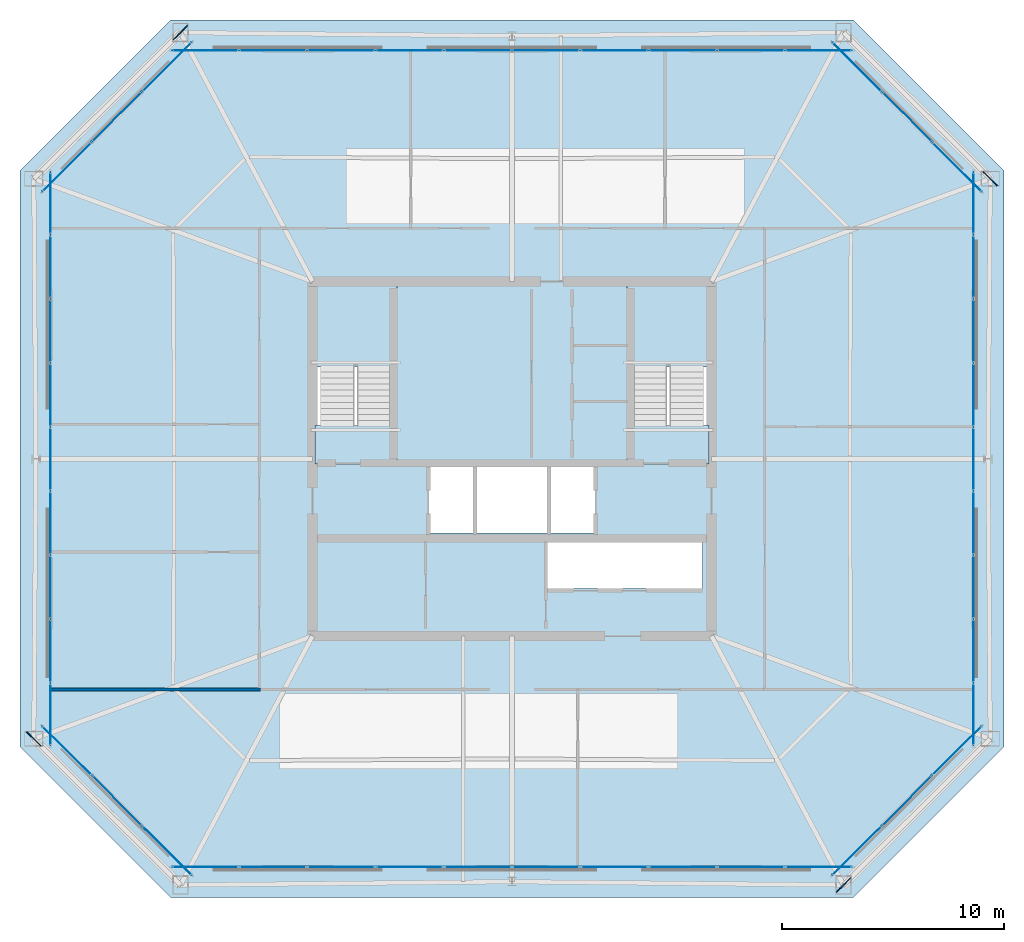
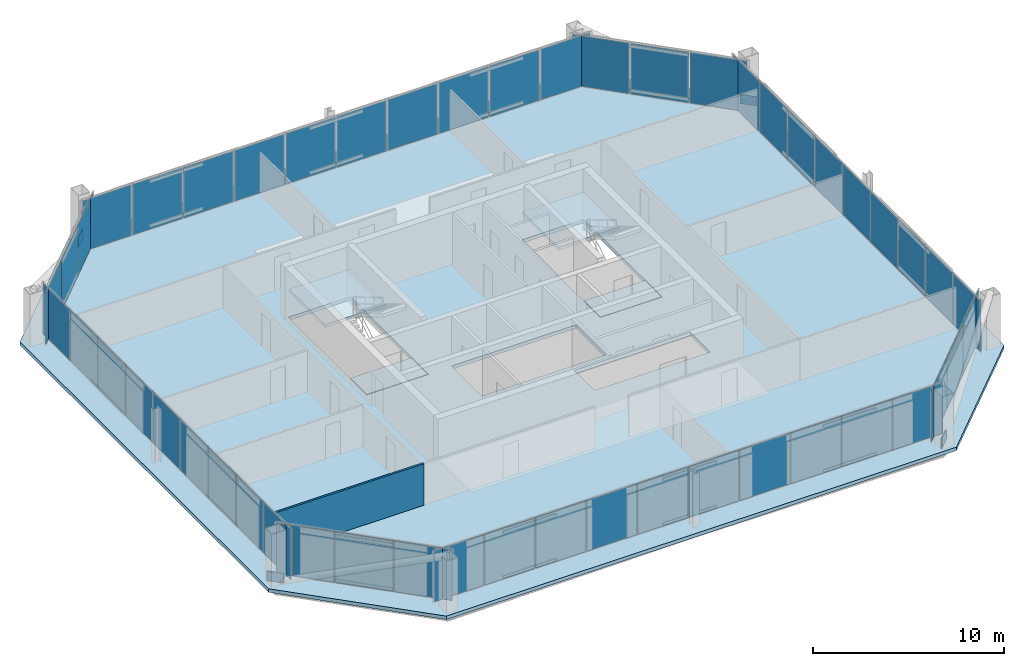
# One storey, part 34 of 39: 54 plates, 5 slabs, 1 wall, 10 elements without a shape of their own.
"""IFC4 building model written with IfcOpenShell, lengths in metres."""

from ifc_helpers import new_model, si_unit, direction, frame, frame_2d, origin, origin_2d, place, context, subcontext, project, spatial, polyline, rectangle, outline, extrude, material, layer, layer_set, type_object, element, aggregate, save


model = new_model("IFC4")

# Units and contexts
model_context = context("Model", 3, precision=1e-05, world=origin(), true_north=direction((0.0, 1.0)))
body_context = subcontext(model_context, "Body", "Model", "MODEL_VIEW")
ifc_project = project(units=[si_unit("LENGTHUNIT", "METRE"), si_unit("AREAUNIT", "SQUARE_METRE"), si_unit("VOLUMEUNIT", "CUBIC_METRE"), si_unit("PLANEANGLEUNIT", "RADIAN"), si_unit("MASSUNIT", "GRAM", prefix="KILO")], contexts=[model_context])

# Site, building, storey
site_placement = place(None, origin())
site = spatial("IfcSite", under=ifc_project, at=site_placement, CompositionType="ELEMENT")
building_placement = place(site_placement, origin())
building = spatial("IfcBuilding", under=site, at=building_placement, Name="Caelvoria Tower", CompositionType="ELEMENT")
storey_placement = place(building_placement, frame((0.0, 0.0, 198.60009765625)))
storey = spatial("IfcBuildingStorey", under=building, at=storey_placement, Name="L52", CompositionType="ELEMENT", Elevation=198.60009765625)

# Curtain wall, plates
ifc_material_1 = material(Name="Anodised Bronze Aluminium and Low-E Glass", Category="aluminium")
ifc_layer_1 = layer(ifc_material_1, 0.175048828125, Name="Anodised Bronze Aluminium and Low-E Glass")
ifc_layer_set_1 = layer_set([ifc_layer_1], Name="CW System 4 High-Zone Tapered Crystal Facade - Anodised Bronze Aluminium and Low-E Glass")
curtain_wall_type = type_object("IfcCurtainWallType", Name="CW System 4 High-Zone Tapered Crystal Facade", PredefinedType="NOTDEFINED", material=ifc_layer_set_1)
curtain_wall_1_placement = place(storey_placement, origin())
curtain_wall_1 = element("IfcCurtainWall", 1, at=curtain_wall_1_placement, inside=storey, type_object=curtain_wall_type, Name="CW-04 Curtain Wall L52-E0", PredefinedType="NOTDEFINED")
ifc_material_2 = material(Name="Tinted Low-E Insulated Glazing Unit", Category="glass")
ifc_layer_2 = layer(ifc_material_2, 0.028076171875, Name="Tinted Low-E Insulated Glazing Unit")
ifc_layer_set_2 = layer_set([ifc_layer_2], Name="Double-Glazed Solar-Control Vision Panel 28 - Tinted Low-E Insulated Glazing Unit")
plate_type_1 = type_object("IfcPlateType", Name="Double-Glazed Solar-Control Vision Panel 28", PredefinedType="CURTAIN_PANEL", material=ifc_layer_set_2)
plate_1_placement = place(storey_placement, frame((35.219970703125, 13.580078125, 0.06494140625), z_axis=(0.0, 0.0, 1.0), x_axis=(1.0, 0.0, 0.0)))
plate_1 = element("IfcPlate", 2, at=plate_1_placement, type_object=plate_type_1, Name="CW-04 panel 2.1", PredefinedType="CURTAIN_PANEL", context=body_context, shape_type="SweptSolid", body=[
    extrude(rectangle(XDim=3.014892578125, YDim=0.028076171875, at=origin_2d()), origin(), (0.0, 0.0, 1.0), 3.2451171875),
])
plate_2_placement = place(storey_placement, frame((38.300048828125, 13.580078125, 0.06494140625), z_axis=(0.0, 0.0, 1.0), x_axis=(1.0, 0.0, 0.0)))
plate_2 = element("IfcPlate", 3, at=plate_2_placement, type_object=plate_type_1, Name="CW-04 panel 3.1", PredefinedType="CURTAIN_PANEL", context=body_context, shape_type="SweptSolid", body=[
    extrude(rectangle(XDim=3.014892578125, YDim=0.028076171875, at=origin_2d()), origin(), (0.0, 0.0, 1.0), 3.2451171875),
])
plate_3_placement = place(storey_placement, frame((41.3798828125, 13.580078125, 0.06494140625), z_axis=(0.0, 0.0, 1.0), x_axis=(1.0, 0.0, 0.0)))
plate_3 = element("IfcPlate", 4, at=plate_3_placement, type_object=plate_type_1, Name="CW-04 panel 4.1", PredefinedType="CURTAIN_PANEL", context=body_context, shape_type="SweptSolid", body=[
    extrude(rectangle(XDim=3.014892578125, YDim=0.028076171875, at=origin_2d()), origin(), (0.0, 0.0, 1.0), 3.2451171875),
])
plate_4_placement = place(storey_placement, frame((44.4599609375, 13.580078125, 0.06494140625), z_axis=(0.0, 0.0, 1.0), x_axis=(1.0, 0.0, 0.0)))
plate_4 = element("IfcPlate", 5, at=plate_4_placement, type_object=plate_type_1, Name="CW-04 panel 5.1", PredefinedType="CURTAIN_PANEL", context=body_context, shape_type="SweptSolid", body=[
    extrude(rectangle(XDim=3.014892578125, YDim=0.028076171875, at=origin_2d()), origin(), (0.0, 0.0, 1.0), 3.2451171875),
])
plate_5_placement = place(storey_placement, frame((47.5400390625, 13.580078125, 0.06494140625), z_axis=(0.0, 0.0, 1.0), x_axis=(1.0, 0.0, 0.0)))
plate_5 = element("IfcPlate", 6, at=plate_5_placement, type_object=plate_type_1, Name="CW-04 panel 6.1", PredefinedType="CURTAIN_PANEL", context=body_context, shape_type="SweptSolid", body=[
    extrude(rectangle(XDim=3.014892578125, YDim=0.028076171875, at=origin_2d()), origin(), (0.0, 0.0, 1.0), 3.2451171875),
])
plate_6_placement = place(storey_placement, frame((50.6201171875, 13.580078125, 0.06494140625), z_axis=(0.0, 0.0, 1.0), x_axis=(1.0, 0.0, 0.0)))
plate_6 = element("IfcPlate", 7, at=plate_6_placement, type_object=plate_type_1, Name="CW-04 panel 7.1", PredefinedType="CURTAIN_PANEL", context=body_context, shape_type="SweptSolid", body=[
    extrude(rectangle(XDim=3.014892578125, YDim=0.028076171875, at=origin_2d()), origin(), (0.0, 0.0, 1.0), 3.2451171875),
])
plate_7_placement = place(storey_placement, frame((53.699951171875, 13.580078125, 0.06494140625), z_axis=(0.0, 0.0, 1.0), x_axis=(1.0, 0.0, 0.0)))
plate_7 = element("IfcPlate", 8, at=plate_7_placement, type_object=plate_type_1, Name="CW-04 panel 8.1", PredefinedType="CURTAIN_PANEL", context=body_context, shape_type="SweptSolid", body=[
    extrude(rectangle(XDim=3.014892578125, YDim=0.028076171875, at=origin_2d()), origin(), (0.0, 0.0, 1.0), 3.2451171875),
])
plate_8_placement = place(storey_placement, frame((56.780029296875, 13.580078125, 0.06494140625), z_axis=(0.0, 0.0, 1.0), x_axis=(1.0, 0.0, 0.0)))
plate_8 = element("IfcPlate", 9, at=plate_8_placement, type_object=plate_type_1, Name="CW-04 panel 9.1", PredefinedType="CURTAIN_PANEL", context=body_context, shape_type="SweptSolid", body=[
    extrude(rectangle(XDim=3.014892578125, YDim=0.028076171875, at=origin_2d()), origin(), (0.0, 0.0, 1.0), 3.2451171875),
])

curtain_wall_2_placement = place(storey_placement, origin())
curtain_wall_2 = element("IfcCurtainWall", 10, at=curtain_wall_2_placement, inside=storey, type_object=curtain_wall_type, Name="CW-04 Curtain Wall L52-E2", PredefinedType="NOTDEFINED")
plate_9_placement = place(storey_placement, frame((66.820068359375, 23.333251953125, 0.06494140625), z_axis=(0.0, 0.0, 1.0), x_axis=(0.0, 1.0, 0.0)))
plate_9 = element("IfcPlate", 11, at=plate_9_placement, type_object=plate_type_1, Name="CW-04 panel 2.1", PredefinedType="CURTAIN_PANEL", context=body_context, shape_type="SweptSolid", body=[
    extrude(rectangle(XDim=2.823974609375, YDim=0.028076171875, at=origin_2d()), origin(), (0.0, 0.0, 1.0), 3.2451171875),
])
plate_10_placement = place(storey_placement, frame((66.820068359375, 26.22216796875, 0.06494140625), z_axis=(0.0, 0.0, 1.0), x_axis=(0.0, 1.0, 0.0)))
plate_10 = element("IfcPlate", 12, at=plate_10_placement, type_object=plate_type_1, Name="CW-04 panel 3.1", PredefinedType="CURTAIN_PANEL", context=body_context, shape_type="SweptSolid", body=[
    extrude(rectangle(XDim=2.823974609375, YDim=0.028076171875, at=origin_2d()), origin(), (0.0, 0.0, 1.0), 3.2451171875),
])
plate_11_placement = place(storey_placement, frame((66.820068359375, 29.111083984375, 0.06494140625), z_axis=(0.0, 0.0, 1.0), x_axis=(0.0, 1.0, 0.0)))
plate_11 = element("IfcPlate", 13, at=plate_11_placement, type_object=plate_type_1, Name="CW-04 panel 4.1", PredefinedType="CURTAIN_PANEL", context=body_context, shape_type="SweptSolid", body=[
    extrude(rectangle(XDim=2.823974609375, YDim=0.028076171875, at=origin_2d()), origin(), (0.0, 0.0, 1.0), 3.2451171875),
])
plate_12_placement = place(storey_placement, frame((66.820068359375, 34.888916015625, 0.06494140625), z_axis=(0.0, 0.0, 1.0), x_axis=(0.0, 1.0, 0.0)))
plate_12 = element("IfcPlate", 14, at=plate_12_placement, type_object=plate_type_1, Name="CW-04 panel 6.1", PredefinedType="CURTAIN_PANEL", context=body_context, shape_type="SweptSolid", body=[
    extrude(rectangle(XDim=2.823974609375, YDim=0.028076171875, at=origin_2d()), origin(), (0.0, 0.0, 1.0), 3.2451171875),
])
plate_13_placement = place(storey_placement, frame((66.820068359375, 37.77783203125, 0.06494140625), z_axis=(0.0, 0.0, 1.0), x_axis=(0.0, 1.0, 0.0)))
plate_13 = element("IfcPlate", 15, at=plate_13_placement, type_object=plate_type_1, Name="CW-04 panel 7.1", PredefinedType="CURTAIN_PANEL", context=body_context, shape_type="SweptSolid", body=[
    extrude(rectangle(XDim=2.823974609375, YDim=0.028076171875, at=origin_2d()), origin(), (0.0, 0.0, 1.0), 3.2451171875),
])
plate_14_placement = place(storey_placement, frame((66.820068359375, 40.666748046875, 0.06494140625), z_axis=(0.0, 0.0, 1.0), x_axis=(0.0, 1.0, 0.0)))
plate_14 = element("IfcPlate", 16, at=plate_14_placement, type_object=plate_type_1, Name="CW-04 panel 8.1", PredefinedType="CURTAIN_PANEL", context=body_context, shape_type="SweptSolid", body=[
    extrude(rectangle(XDim=2.823974609375, YDim=0.028076171875, at=origin_2d()), origin(), (0.0, 0.0, 1.0), 3.2451171875),
])

curtain_wall_3_placement = place(storey_placement, origin())
curtain_wall_3 = element("IfcCurtainWall", 17, at=curtain_wall_3_placement, inside=storey, type_object=curtain_wall_type, Name="CW-04 Curtain Wall L52-E4", PredefinedType="NOTDEFINED")
plate_15_placement = place(storey_placement, frame((56.780029296875, 50.419921875, 0.06494140625), z_axis=(0.0, 0.0, 1.0), x_axis=(-1.0, 0.0, 0.0)))
plate_15 = element("IfcPlate", 18, at=plate_15_placement, type_object=plate_type_1, Name="CW-04 panel 2.1", PredefinedType="CURTAIN_PANEL", context=body_context, shape_type="SweptSolid", body=[
    extrude(rectangle(XDim=3.014892578125, YDim=0.028076171875, at=origin_2d()), origin(), (0.0, 0.0, 1.0), 3.2451171875),
])
plate_16_placement = place(storey_placement, frame((53.699951171875, 50.419921875, 0.06494140625), z_axis=(0.0, 0.0, 1.0), x_axis=(-1.0, 0.0, 0.0)))
plate_16 = element("IfcPlate", 19, at=plate_16_placement, type_object=plate_type_1, Name="CW-04 panel 3.1", PredefinedType="CURTAIN_PANEL", context=body_context, shape_type="SweptSolid", body=[
    extrude(rectangle(XDim=3.014892578125, YDim=0.028076171875, at=origin_2d()), origin(), (0.0, 0.0, 1.0), 3.2451171875),
])
plate_17_placement = place(storey_placement, frame((50.6201171875, 50.419921875, 0.06494140625), z_axis=(0.0, 0.0, 1.0), x_axis=(-1.0, 0.0, 0.0)))
plate_17 = element("IfcPlate", 20, at=plate_17_placement, type_object=plate_type_1, Name="CW-04 panel 4.1", PredefinedType="CURTAIN_PANEL", context=body_context, shape_type="SweptSolid", body=[
    extrude(rectangle(XDim=3.014892578125, YDim=0.028076171875, at=origin_2d()), origin(), (0.0, 0.0, 1.0), 3.2451171875),
])
plate_18_placement = place(storey_placement, frame((47.5400390625, 50.419921875, 0.06494140625), z_axis=(0.0, 0.0, 1.0), x_axis=(-1.0, 0.0, 0.0)))
plate_18 = element("IfcPlate", 21, at=plate_18_placement, type_object=plate_type_1, Name="CW-04 panel 5.1", PredefinedType="CURTAIN_PANEL", context=body_context, shape_type="SweptSolid", body=[
    extrude(rectangle(XDim=3.014892578125, YDim=0.028076171875, at=origin_2d()), origin(), (0.0, 0.0, 1.0), 3.2451171875),
])
plate_19_placement = place(storey_placement, frame((44.4599609375, 50.419921875, 0.06494140625), z_axis=(0.0, 0.0, 1.0), x_axis=(-1.0, 0.0, 0.0)))
plate_19 = element("IfcPlate", 22, at=plate_19_placement, type_object=plate_type_1, Name="CW-04 panel 6.1", PredefinedType="CURTAIN_PANEL", context=body_context, shape_type="SweptSolid", body=[
    extrude(rectangle(XDim=3.014892578125, YDim=0.028076171875, at=origin_2d()), origin(), (0.0, 0.0, 1.0), 3.2451171875),
])
plate_20_placement = place(storey_placement, frame((41.3798828125, 50.419921875, 0.06494140625), z_axis=(0.0, 0.0, 1.0), x_axis=(-1.0, 0.0, 0.0)))
plate_20 = element("IfcPlate", 23, at=plate_20_placement, type_object=plate_type_1, Name="CW-04 panel 7.1", PredefinedType="CURTAIN_PANEL", context=body_context, shape_type="SweptSolid", body=[
    extrude(rectangle(XDim=3.014892578125, YDim=0.028076171875, at=origin_2d()), origin(), (0.0, 0.0, 1.0), 3.2451171875),
])
plate_21_placement = place(storey_placement, frame((38.300048828125, 50.419921875, 0.06494140625), z_axis=(0.0, 0.0, 1.0), x_axis=(-1.0, 0.0, 0.0)))
plate_21 = element("IfcPlate", 24, at=plate_21_placement, type_object=plate_type_1, Name="CW-04 panel 8.1", PredefinedType="CURTAIN_PANEL", context=body_context, shape_type="SweptSolid", body=[
    extrude(rectangle(XDim=3.014892578125, YDim=0.028076171875, at=origin_2d()), origin(), (0.0, 0.0, 1.0), 3.2451171875),
])
plate_22_placement = place(storey_placement, frame((35.219970703125, 50.419921875, 0.06494140625), z_axis=(0.0, 0.0, 1.0), x_axis=(-1.0, 0.0, 0.0)))
plate_22 = element("IfcPlate", 25, at=plate_22_placement, type_object=plate_type_1, Name="CW-04 panel 9.1", PredefinedType="CURTAIN_PANEL", context=body_context, shape_type="SweptSolid", body=[
    extrude(rectangle(XDim=3.014892578125, YDim=0.028076171875, at=origin_2d()), origin(), (0.0, 0.0, 1.0), 3.2451171875),
])

curtain_wall_4_placement = place(storey_placement, origin())
curtain_wall_4 = element("IfcCurtainWall", 26, at=curtain_wall_4_placement, inside=storey, type_object=curtain_wall_type, Name="CW-04 Curtain Wall L52-E6", PredefinedType="NOTDEFINED")
plate_23_placement = place(storey_placement, frame((25.179931640625, 40.666748046875, 0.06494140625), z_axis=(0.0, 0.0, 1.0), x_axis=(0.0, -1.0, 0.0)))
plate_23 = element("IfcPlate", 27, at=plate_23_placement, type_object=plate_type_1, Name="CW-04 panel 2.1", PredefinedType="CURTAIN_PANEL", context=body_context, shape_type="SweptSolid", body=[
    extrude(rectangle(XDim=2.823974609375, YDim=0.028076171875, at=origin_2d()), origin(), (0.0, 0.0, 1.0), 3.2451171875),
])
plate_24_placement = place(storey_placement, frame((25.179931640625, 37.77783203125, 0.06494140625), z_axis=(0.0, 0.0, 1.0), x_axis=(0.0, -1.0, 0.0)))
plate_24 = element("IfcPlate", 28, at=plate_24_placement, type_object=plate_type_1, Name="CW-04 panel 3.1", PredefinedType="CURTAIN_PANEL", context=body_context, shape_type="SweptSolid", body=[
    extrude(rectangle(XDim=2.823974609375, YDim=0.028076171875, at=origin_2d()), origin(), (0.0, 0.0, 1.0), 3.2451171875),
])
plate_25_placement = place(storey_placement, frame((25.179931640625, 34.888916015625, 0.06494140625), z_axis=(0.0, 0.0, 1.0), x_axis=(0.0, -1.0, 0.0)))
plate_25 = element("IfcPlate", 29, at=plate_25_placement, type_object=plate_type_1, Name="CW-04 panel 4.1", PredefinedType="CURTAIN_PANEL", context=body_context, shape_type="SweptSolid", body=[
    extrude(rectangle(XDim=2.823974609375, YDim=0.028076171875, at=origin_2d()), origin(), (0.0, 0.0, 1.0), 3.2451171875),
])
plate_26_placement = place(storey_placement, frame((25.179931640625, 29.111083984375, 0.06494140625), z_axis=(0.0, 0.0, 1.0), x_axis=(0.0, -1.0, 0.0)))
plate_26 = element("IfcPlate", 30, at=plate_26_placement, type_object=plate_type_1, Name="CW-04 panel 6.1", PredefinedType="CURTAIN_PANEL", context=body_context, shape_type="SweptSolid", body=[
    extrude(rectangle(XDim=2.823974609375, YDim=0.028076171875, at=origin_2d()), origin(), (0.0, 0.0, 1.0), 3.2451171875),
])
plate_27_placement = place(storey_placement, frame((25.179931640625, 26.22216796875, 0.06494140625), z_axis=(0.0, 0.0, 1.0), x_axis=(0.0, -1.0, 0.0)))
plate_27 = element("IfcPlate", 31, at=plate_27_placement, type_object=plate_type_1, Name="CW-04 panel 7.1", PredefinedType="CURTAIN_PANEL", context=body_context, shape_type="SweptSolid", body=[
    extrude(rectangle(XDim=2.823974609375, YDim=0.028076171875, at=origin_2d()), origin(), (0.0, 0.0, 1.0), 3.2451171875),
])
plate_28_placement = place(storey_placement, frame((25.179931640625, 23.333251953125, 0.06494140625), z_axis=(0.0, 0.0, 1.0), x_axis=(0.0, -1.0, 0.0)))
plate_28 = element("IfcPlate", 32, at=plate_28_placement, type_object=plate_type_1, Name="CW-04 panel 8.1", PredefinedType="CURTAIN_PANEL", context=body_context, shape_type="SweptSolid", body=[
    extrude(rectangle(XDim=2.823974609375, YDim=0.028076171875, at=origin_2d()), origin(), (0.0, 0.0, 1.0), 3.2451171875),
])

# Plate
ifc_material_3 = material(Name="Anodised Bronze Insulated Aluminium Panel", Category="aluminium")
ifc_layer_3 = layer(ifc_material_3, 0.031982421875, Name="Anodised Bronze Insulated Aluminium Panel")
ifc_layer_set_3 = layer_set([ifc_layer_3], Name="Insulated Bronze Spandrel Curtain Panel 32 - Anodised Bronze Insulated Aluminium Panel")
plate_type_2 = type_object("IfcPlateType", Name="Insulated Bronze Spandrel Curtain Panel 32", PredefinedType="CURTAIN_PANEL", material=ifc_layer_set_3)
plate_29_placement = place(storey_placement, frame((32.15625, 13.580078125, 0.06494140625), z_axis=(0.0, 0.0, 1.0), x_axis=(1.0, 0.0, 0.0)))
plate_29 = element("IfcPlate", 33, at=plate_29_placement, type_object=plate_type_2, Name="CW-04 panel 1.1", PredefinedType="CURTAIN_PANEL", context=body_context, shape_type="SweptSolid", body=[
    extrude(rectangle(XDim=2.982421875, YDim=0.031982421875, at=origin_2d()), origin(), (0.0, 0.0, 1.0), 3.2451171875),
])

plate_30_placement = place(storey_placement, frame((59.84375, 13.580078125, 0.06494140625), z_axis=(0.0, 0.0, 1.0), x_axis=(1.0, 0.0, 0.0)))
plate_30 = element("IfcPlate", 34, at=plate_30_placement, type_object=plate_type_2, Name="CW-04 panel 10.1", PredefinedType="CURTAIN_PANEL", context=body_context, shape_type="SweptSolid", body=[
    extrude(rectangle(XDim=2.982421875, YDim=0.031982421875, at=origin_2d()), origin(), (0.0, 0.0, 1.0), 3.2451171875),
])

aggregate(curtain_wall_1, [plate_29, plate_1, plate_2, plate_3, plate_4, plate_5, plate_6, plate_7, plate_8, plate_30])

# Curtain wall, plates
curtain_wall_5_placement = place(storey_placement, origin())
curtain_wall_5 = element("IfcCurtainWall", 35, at=curtain_wall_5_placement, inside=storey, type_object=curtain_wall_type, Name="CW-04 Curtain Wall L52-E1", PredefinedType="NOTDEFINED")
plate_31_placement = place(storey_placement, frame((61.569091796875, 14.320556640625, 0.06494140625), z_axis=(0.0, 0.0, 1.0), x_axis=(0.707106781187, 0.707106781187, 0.0)))
plate_31 = element("IfcPlate", 36, at=plate_31_placement, type_object=plate_type_2, Name="CW-04 panel 1.1", PredefinedType="CURTAIN_PANEL", context=body_context, shape_type="SweptSolid", body=[
    extrude(rectangle(XDim=3.108154296875, YDim=0.031982421875, at=origin_2d()), origin(), (0.0, 0.0, 1.0), 3.2451171875),
])
plate_32_placement = place(storey_placement, frame((63.82421875, 16.57568359375, 0.06494140625), z_axis=(0.0, 0.0, 1.0), x_axis=(0.707106781187, 0.707106781187, 0.0)))
plate_32 = element("IfcPlate", 37, at=plate_32_placement, type_object=plate_type_2, Name="CW-04 panel 2.1", PredefinedType="CURTAIN_PANEL", context=body_context, shape_type="SweptSolid", body=[
    extrude(rectangle(XDim=3.140625, YDim=0.031982421875, at=origin_2d()), origin(), (0.0, 0.0, 1.0), 3.2451171875),
])
plate_33_placement = place(storey_placement, frame((66.079345703125, 18.8310546875, 0.06494140625), z_axis=(0.0, 0.0, 1.0), x_axis=(0.707106781187, 0.707106781187, 0.0)))
plate_33 = element("IfcPlate", 38, at=plate_33_placement, type_object=plate_type_2, Name="CW-04 panel 3.1", PredefinedType="CURTAIN_PANEL", context=body_context, shape_type="SweptSolid", body=[
    extrude(rectangle(XDim=3.108154296875, YDim=0.031982421875, at=origin_2d()), origin(), (0.0, 0.0, 1.0), 3.2451171875),
])
aggregate(curtain_wall_5, [plate_31, plate_32, plate_33])

# Plate
plate_34_placement = place(storey_placement, frame((66.820068359375, 20.460693359375, 0.06494140625), z_axis=(0.0, 0.0, 1.0), x_axis=(0.0, 1.0, 0.0)))
plate_34 = element("IfcPlate", 39, at=plate_34_placement, type_object=plate_type_2, Name="CW-04 panel 1.1", PredefinedType="CURTAIN_PANEL", context=body_context, shape_type="SweptSolid", body=[
    extrude(rectangle(XDim=2.79150390625, YDim=0.031982421875, at=origin_2d()), origin(), (0.0, 0.0, 1.0), 3.2451171875),
])

plate_35_placement = place(storey_placement, frame((66.820068359375, 32.0, 0.06494140625), z_axis=(0.0, 0.0, 1.0), x_axis=(0.0, 1.0, 0.0)))
plate_35 = element("IfcPlate", 40, at=plate_35_placement, type_object=plate_type_2, Name="CW-04 panel 5.1", PredefinedType="CURTAIN_PANEL", context=body_context, shape_type="SweptSolid", body=[
    extrude(rectangle(XDim=2.823974609375, YDim=0.031982421875, at=origin_2d()), origin(), (0.0, 0.0, 1.0), 3.2451171875),
])

plate_36_placement = place(storey_placement, frame((66.820068359375, 43.539306640625, 0.06494140625), z_axis=(0.0, 0.0, 1.0), x_axis=(0.0, 1.0, 0.0)))
plate_36 = element("IfcPlate", 41, at=plate_36_placement, type_object=plate_type_2, Name="CW-04 panel 9.1", PredefinedType="CURTAIN_PANEL", context=body_context, shape_type="SweptSolid", body=[
    extrude(rectangle(XDim=2.79150390625, YDim=0.031982421875, at=origin_2d()), origin(), (0.0, 0.0, 1.0), 3.2451171875),
])

aggregate(curtain_wall_2, [plate_34, plate_9, plate_10, plate_11, plate_35, plate_12, plate_13, plate_14, plate_36])

# Curtain wall, plates
curtain_wall_6_placement = place(storey_placement, origin())
curtain_wall_6 = element("IfcCurtainWall", 42, at=curtain_wall_6_placement, inside=storey, type_object=curtain_wall_type, Name="CW-04 Curtain Wall L52-E3", PredefinedType="NOTDEFINED")
plate_37_placement = place(storey_placement, frame((66.079345703125, 45.1689453125, 0.06494140625), z_axis=(0.0, 0.0, 1.0), x_axis=(-0.707106781187, 0.707106781187, 0.0)))
plate_37 = element("IfcPlate", 43, at=plate_37_placement, type_object=plate_type_2, Name="CW-04 panel 1.1", PredefinedType="CURTAIN_PANEL", context=body_context, shape_type="SweptSolid", body=[
    extrude(rectangle(XDim=3.108154296875, YDim=0.031982421875, at=origin_2d()), origin(), (0.0, 0.0, 1.0), 3.2451171875),
])
plate_38_placement = place(storey_placement, frame((63.82421875, 47.42431640625, 0.06494140625), z_axis=(0.0, 0.0, 1.0), x_axis=(-0.707106781187, 0.707106781187, 0.0)))
plate_38 = element("IfcPlate", 44, at=plate_38_placement, type_object=plate_type_2, Name="CW-04 panel 2.1", PredefinedType="CURTAIN_PANEL", context=body_context, shape_type="SweptSolid", body=[
    extrude(rectangle(XDim=3.140625, YDim=0.031982421875, at=origin_2d()), origin(), (0.0, 0.0, 1.0), 3.2451171875),
])
plate_39_placement = place(storey_placement, frame((61.569091796875, 49.679443359375, 0.06494140625), z_axis=(0.0, 0.0, 1.0), x_axis=(-0.707106781187, 0.707106781187, 0.0)))
plate_39 = element("IfcPlate", 45, at=plate_39_placement, type_object=plate_type_2, Name="CW-04 panel 3.1", PredefinedType="CURTAIN_PANEL", context=body_context, shape_type="SweptSolid", body=[
    extrude(rectangle(XDim=3.108154296875, YDim=0.031982421875, at=origin_2d()), origin(), (0.0, 0.0, 1.0), 3.2451171875),
])
aggregate(curtain_wall_6, [plate_37, plate_38, plate_39])

# Plate
plate_40_placement = place(storey_placement, frame((59.84375, 50.419921875, 0.06494140625), z_axis=(0.0, 0.0, 1.0), x_axis=(-1.0, 0.0, 0.0)))
plate_40 = element("IfcPlate", 46, at=plate_40_placement, type_object=plate_type_2, Name="CW-04 panel 1.1", PredefinedType="CURTAIN_PANEL", context=body_context, shape_type="SweptSolid", body=[
    extrude(rectangle(XDim=2.982421875, YDim=0.031982421875, at=origin_2d()), origin(), (0.0, 0.0, 1.0), 3.2451171875),
])

plate_41_placement = place(storey_placement, frame((32.15625, 50.419921875, 0.06494140625), z_axis=(0.0, 0.0, 1.0), x_axis=(-1.0, 0.0, 0.0)))
plate_41 = element("IfcPlate", 47, at=plate_41_placement, type_object=plate_type_2, Name="CW-04 panel 10.1", PredefinedType="CURTAIN_PANEL", context=body_context, shape_type="SweptSolid", body=[
    extrude(rectangle(XDim=2.982421875, YDim=0.031982421875, at=origin_2d()), origin(), (0.0, 0.0, 1.0), 3.2451171875),
])

aggregate(curtain_wall_3, [plate_40, plate_15, plate_16, plate_17, plate_18, plate_19, plate_20, plate_21, plate_22, plate_41])

# Curtain wall, plates
curtain_wall_7_placement = place(storey_placement, origin())
curtain_wall_7 = element("IfcCurtainWall", 48, at=curtain_wall_7_placement, inside=storey, type_object=curtain_wall_type, Name="CW-04 Curtain Wall L52-E5", PredefinedType="NOTDEFINED")
plate_42_placement = place(storey_placement, frame((30.430908203125, 49.679443359375, 0.06494140625), z_axis=(0.0, 0.0, 1.0), x_axis=(-0.707106781187, -0.707106781187, 0.0)))
plate_42 = element("IfcPlate", 49, at=plate_42_placement, type_object=plate_type_2, Name="CW-04 panel 1.1", PredefinedType="CURTAIN_PANEL", context=body_context, shape_type="SweptSolid", body=[
    extrude(rectangle(XDim=3.108154296875, YDim=0.031982421875, at=origin_2d()), origin(), (0.0, 0.0, 1.0), 3.2451171875),
])
plate_43_placement = place(storey_placement, frame((28.17578125, 47.42431640625, 0.06494140625), z_axis=(0.0, 0.0, 1.0), x_axis=(-0.707106781187, -0.707106781187, 0.0)))
plate_43 = element("IfcPlate", 50, at=plate_43_placement, type_object=plate_type_2, Name="CW-04 panel 2.1", PredefinedType="CURTAIN_PANEL", context=body_context, shape_type="SweptSolid", body=[
    extrude(rectangle(XDim=3.140625, YDim=0.031982421875, at=origin_2d()), origin(), (0.0, 0.0, 1.0), 3.2451171875),
])
plate_44_placement = place(storey_placement, frame((25.920654296875, 45.1689453125, 0.06494140625), z_axis=(0.0, 0.0, 1.0), x_axis=(-0.707106781187, -0.707106781187, 0.0)))
plate_44 = element("IfcPlate", 51, at=plate_44_placement, type_object=plate_type_2, Name="CW-04 panel 3.1", PredefinedType="CURTAIN_PANEL", context=body_context, shape_type="SweptSolid", body=[
    extrude(rectangle(XDim=3.108154296875, YDim=0.031982421875, at=origin_2d()), origin(), (0.0, 0.0, 1.0), 3.2451171875),
])
aggregate(curtain_wall_7, [plate_42, plate_43, plate_44])

# Plate
plate_45_placement = place(storey_placement, frame((25.179931640625, 43.539306640625, 0.06494140625), z_axis=(0.0, 0.0, 1.0), x_axis=(0.0, -1.0, 0.0)))
plate_45 = element("IfcPlate", 52, at=plate_45_placement, type_object=plate_type_2, Name="CW-04 panel 1.1", PredefinedType="CURTAIN_PANEL", context=body_context, shape_type="SweptSolid", body=[
    extrude(rectangle(XDim=2.79150390625, YDim=0.031982421875, at=origin_2d()), origin(), (0.0, 0.0, 1.0), 3.2451171875),
])

plate_46_placement = place(storey_placement, frame((25.179931640625, 32.0, 0.06494140625), z_axis=(0.0, 0.0, 1.0), x_axis=(0.0, -1.0, 0.0)))
plate_46 = element("IfcPlate", 53, at=plate_46_placement, type_object=plate_type_2, Name="CW-04 panel 5.1", PredefinedType="CURTAIN_PANEL", context=body_context, shape_type="SweptSolid", body=[
    extrude(rectangle(XDim=2.823974609375, YDim=0.031982421875, at=origin_2d()), origin(), (0.0, 0.0, 1.0), 3.2451171875),
])

plate_47_placement = place(storey_placement, frame((25.179931640625, 20.460693359375, 0.06494140625), z_axis=(0.0, 0.0, 1.0), x_axis=(0.0, -1.0, 0.0)))
plate_47 = element("IfcPlate", 54, at=plate_47_placement, type_object=plate_type_2, Name="CW-04 panel 9.1", PredefinedType="CURTAIN_PANEL", context=body_context, shape_type="SweptSolid", body=[
    extrude(rectangle(XDim=2.79150390625, YDim=0.031982421875, at=origin_2d()), origin(), (0.0, 0.0, 1.0), 3.2451171875),
])

aggregate(curtain_wall_4, [plate_45, plate_23, plate_24, plate_25, plate_46, plate_26, plate_27, plate_28, plate_47])

# Curtain wall, plates
curtain_wall_8_placement = place(storey_placement, origin())
curtain_wall_8 = element("IfcCurtainWall", 55, at=curtain_wall_8_placement, inside=storey, type_object=curtain_wall_type, Name="CW-04 Curtain Wall L52-E7", PredefinedType="NOTDEFINED")
plate_48_placement = place(storey_placement, frame((25.920654296875, 18.8310546875, 0.06494140625), z_axis=(0.0, 0.0, 1.0), x_axis=(0.707106781187, -0.707106781187, 0.0)))
plate_48 = element("IfcPlate", 56, at=plate_48_placement, type_object=plate_type_2, Name="CW-04 panel 1.1", PredefinedType="CURTAIN_PANEL", context=body_context, shape_type="SweptSolid", body=[
    extrude(rectangle(XDim=3.108154296875, YDim=0.031982421875, at=origin_2d()), origin(), (0.0, 0.0, 1.0), 3.2451171875),
])
plate_49_placement = place(storey_placement, frame((28.17578125, 16.57568359375, 0.06494140625), z_axis=(0.0, 0.0, 1.0), x_axis=(0.707106781187, -0.707106781187, 0.0)))
plate_49 = element("IfcPlate", 57, at=plate_49_placement, type_object=plate_type_2, Name="CW-04 panel 2.1", PredefinedType="CURTAIN_PANEL", context=body_context, shape_type="SweptSolid", body=[
    extrude(rectangle(XDim=3.140625, YDim=0.031982421875, at=origin_2d()), origin(), (0.0, 0.0, 1.0), 3.2451171875),
])
plate_50_placement = place(storey_placement, frame((30.430908203125, 14.320556640625, 0.06494140625), z_axis=(0.0, 0.0, 1.0), x_axis=(0.707106781187, -0.707106781187, 0.0)))
plate_50 = element("IfcPlate", 58, at=plate_50_placement, type_object=plate_type_2, Name="CW-04 panel 3.1", PredefinedType="CURTAIN_PANEL", context=body_context, shape_type="SweptSolid", body=[
    extrude(rectangle(XDim=3.108154296875, YDim=0.031982421875, at=origin_2d()), origin(), (0.0, 0.0, 1.0), 3.2451171875),
])
aggregate(curtain_wall_8, [plate_48, plate_49, plate_50])

# Plates
ifc_material_4 = material(Name="Structural Steel ASTM A572 Gr.50", Category="steel")
ifc_layer_4 = layer(ifc_material_4, 0.0400390625, Name="Structural Steel ASTM A572 Gr.50")
ifc_layer_set_4 = layer_set([ifc_layer_4], Name="Megaframe Node Gusset Plate 900x600x40 - Structural Steel ASTM A572 Gr.50")
plate_type_3 = type_object("IfcPlateType", Name="Megaframe Node Gusset Plate 900x600x40", PredefinedType="USERDEFINED", material=ifc_layer_set_4)
for number, where, z_axis, x_axis, name in (
    (59, (60.9580078125, 12.768310546875, 0.019775390625), (0.0, 0.0, 1.0), (0.708453170596, 0.705757823245, 0.0), "Chamfer Mega Brace Gusset L52 SE"),
    (60, (67.57861328125, 44.63623046875, 0.019775390625), (0.0, 0.0, 1.0), (-0.708453170596, 0.705757823245, 0.0), "Chamfer Mega Brace Gusset L52 NE"),
    (61, (31.0419921875, 51.231689453125, 0.019775390625), (0.0, 0.0, 1.0), (-0.708453170596, -0.705757823245, 0.0), "Chamfer Mega Brace Gusset L52 NW"),
    (62, (24.42138671875, 19.36376953125, 0.019775390625), (0.0, 0.0, 1.0), (0.708453170596, -0.705757823245, 0.0), "Chamfer Mega Brace Gusset L52 SW"),
):
    element("IfcPlate", number, at=place(storey_placement, frame(where, z_axis=z_axis, x_axis=x_axis)), inside=storey, type_object=plate_type_3, Name=name, ObjectType="GUSSET_PLATE", PredefinedType="USERDEFINED", context=body_context, shape_type="SweptSolid", body=[
        extrude(rectangle(XDim=0.89990234375, YDim=0.0400390625, at=origin_2d()), origin(), (0.0, 0.0, 1.0), 0.60009765625),
    ])

# Stair, slabs
ifc_material_5 = material(Name="Concrete C40/50", Category="concrete")
stair_type = type_object("IfcStairType", Name="Core Smokeproof Dogleg Stair Concrete C40/50", PredefinedType="HALF_TURN_STAIR", material=ifc_material_5)
stair_1_placement = place(storey_placement, origin())
stair_1 = element("IfcStair", 63, at=stair_1_placement, inside=storey, type_object=stair_type, Name="ST-01 Smokeproof Exit Stair L52", PredefinedType="HALF_TURN_STAIR")
ifc_layer_5 = layer(ifc_material_5, 0.199951171875, Name="Concrete C40/50")
ifc_layer_set_5 = layer_set([ifc_layer_5], Name="Stair Half and Floor Landing Slab 200 Concrete C40/50 - Concrete C40/50")
slab_type_1 = type_object("IfcSlabType", Name="Stair Half and Floor Landing Slab 200 Concrete C40/50", PredefinedType="LANDING", material=ifc_layer_set_5)
slab_1_placement = place(storey_placement, frame((0.0, 0.0, -0.2001953125)))
slab_1 = element("IfcSlab", 64, at=slab_1_placement, type_object=slab_type_1, Name="ST-01 landing 1", PredefinedType="LANDING", context=body_context, shape_type="SweptSolid", body=[
    extrude(outline(polyline([(37.10009765625, 31.77001953125), (40.800048828125, 31.77001953125), (40.800048828125, 33.5), (37.10009765625, 33.5), (37.10009765625, 31.77001953125)])), origin(), (0.0, 0.0, 1.0), 0.2001953125),
])
slab_2_placement = place(storey_placement, frame((0.0, 0.0, 1.599853515625)))
slab_2 = element("IfcSlab", 65, at=slab_2_placement, type_object=slab_type_1, Name="ST-01 landing 2", PredefinedType="LANDING", context=body_context, shape_type="SweptSolid", body=[
    extrude(outline(polyline([(37.10009765625, 36.14990234375), (40.800048828125, 36.14990234375), (40.800048828125, 39.89990234375), (37.10009765625, 39.89990234375), (37.10009765625, 36.14990234375)])), origin(), (0.0, 0.0, 1.0), 0.199951171875),
])
aggregate(stair_1, [slab_1, slab_2])

stair_2_placement = place(storey_placement, origin())
stair_2 = element("IfcStair", 66, at=stair_2_placement, inside=storey, type_object=stair_type, Name="ST-02 Smokeproof Exit Stair L52", PredefinedType="HALF_TURN_STAIR")
slab_3_placement = place(storey_placement, frame((0.0, 0.0, -0.2001953125)))
slab_3 = element("IfcSlab", 67, at=slab_3_placement, type_object=slab_type_1, Name="ST-02 landing 1", PredefinedType="LANDING", context=body_context, shape_type="SweptSolid", body=[
    extrude(outline(polyline([(51.199951171875, 31.77001953125), (54.89990234375, 31.77001953125), (54.89990234375, 33.5), (51.199951171875, 33.5), (51.199951171875, 31.77001953125)])), origin(), (0.0, 0.0, 1.0), 0.2001953125),
])
slab_4_placement = place(storey_placement, frame((0.0, 0.0, 1.599853515625)))
slab_4 = element("IfcSlab", 68, at=slab_4_placement, type_object=slab_type_1, Name="ST-02 landing 2", PredefinedType="LANDING", context=body_context, shape_type="SweptSolid", body=[
    extrude(outline(polyline([(51.199951171875, 36.14990234375), (54.89990234375, 36.14990234375), (54.89990234375, 39.89990234375), (51.199951171875, 39.89990234375), (51.199951171875, 36.14990234375)])), origin(), (0.0, 0.0, 1.0), 0.199951171875),
])
aggregate(stair_2, [slab_3, slab_4])

# Slab
ifc_layer_6 = layer(ifc_material_5, 0.22509765625, Name="Concrete C40/50")
ifc_layer_set_6 = layer_set([ifc_layer_6], Name="Upper Tower Composite Office Slab 225 - Concrete C40/50")
slab_type_2 = type_object("IfcSlabType", Name="Upper Tower Composite Office Slab 225", PredefinedType="FLOOR", material=ifc_layer_set_6)
slab_5_placement = place(storey_placement, frame((0.0, 0.0, -0.22509765625)))
element("IfcSlab", 69, at=slab_5_placement, inside=storey, type_object=slab_type_2, Name="Level L52 Structural Floor Slab", PredefinedType="FLOOR", context=body_context, shape_type="SweptSolid", body=[
    extrude(outline(polyline([(30.60009765625, 12.199951171875), (61.39990234375, 12.199951171875), (68.199951171875, 19.0), (68.199951171875, 45.0), (61.39990234375, 51.800048828125), (30.60009765625, 51.800048828125), (23.800048828125, 45.0), (23.800048828125, 19.0), (30.60009765625, 12.199951171875)]), holes=[polyline([(37.080078125, 31.75), (40.820068359375, 31.75), (40.820068359375, 39.919921875), (37.080078125, 39.919921875), (37.080078125, 31.75)]), polyline([(51.179931640625, 31.75), (54.919921875, 31.75), (54.919921875, 39.919921875), (51.179931640625, 39.919921875), (51.179931640625, 31.75)]), polyline([(42.25, 28.64990234375), (49.75, 28.64990234375), (49.75, 31.800048828125), (42.25, 31.800048828125), (42.25, 28.64990234375)]), polyline([(47.60009765625, 26.14990234375), (54.60009765625, 26.14990234375), (54.60009765625, 28.25), (47.60009765625, 28.25), (47.60009765625, 26.14990234375)])]), origin(), (0.0, 0.0, 1.0), 0.22509765625),
])

# Wall
ifc_material_6 = material(Name="Acoustic Gypsum Board on Light-Gauge Stud", Category="gypsum")
ifc_layer_7 = layer(ifc_material_6, 0.1201171875, Name="Acoustic Gypsum Board on Light-Gauge Stud")
ifc_layer_set_7 = layer_set([ifc_layer_7], Name="Tenant Suite Acoustic Partition Wall 120 - Acoustic Gypsum Board on Light-Gauge Stud")
wall_type = type_object("IfcWallType", Name="Tenant Suite Acoustic Partition Wall 120", PredefinedType="PARTITIONING", material=ifc_layer_set_7)
wall_placement = place(storey_placement, frame((34.64990234375, 21.590087890625, 0.0), z_axis=(0.0, 0.0, 1.0), x_axis=(-1.0, 0.0, 0.0)))
element("IfcWall", 70, at=wall_placement, inside=storey, type_object=wall_type, Name="Interior Partition IW-L52-BSW-0", PredefinedType="PARTITIONING", context=body_context, shape_type="SweptSolid", body=[
    extrude(rectangle(XDim=9.469970703125, YDim=0.1201171875, at=frame_2d((4.73486328125, 0.0))), origin(), (0.0, 0.0, 1.0), 2.65478515625),
])

save(model, "model.ifc")
